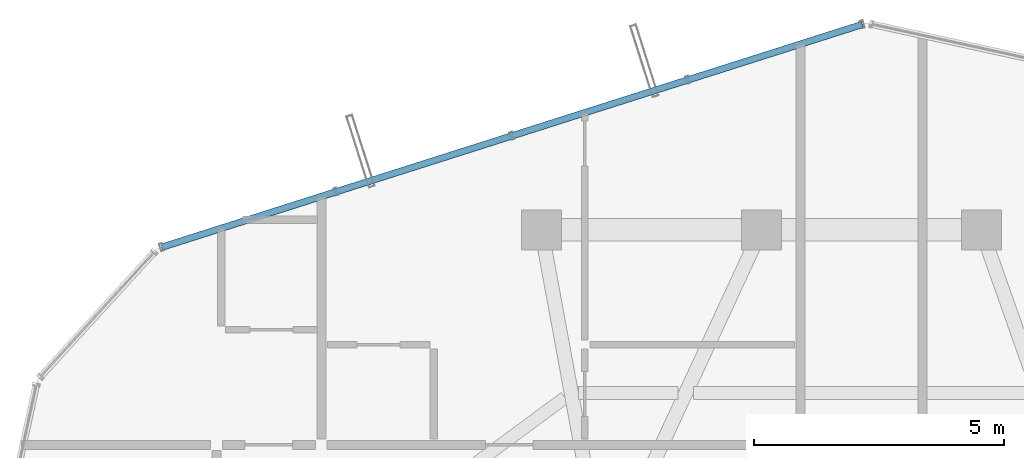
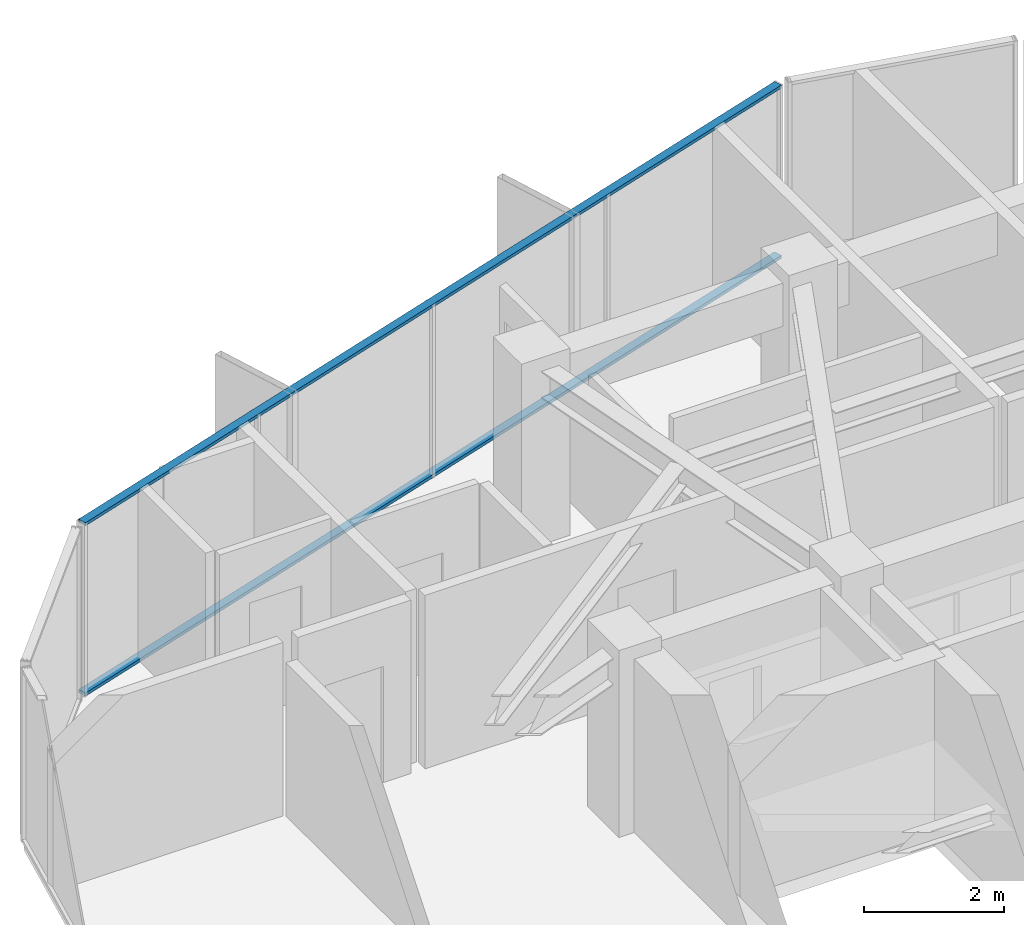
# One storey, part 21 of 28: 2 members, 1 element without a shape of its own.
"""IFC4 building model written with IfcOpenShell, lengths in metres."""

from ifc_helpers import new_model, si_unit, direction, frame, origin, origin_2d, place, context, subcontext, project, spatial, hollow_rectangle, extrude, source, transform, mapped, material, layer, layer_set, material_profile, profile_set, type_object, element, aggregate, save


model = new_model("IFC4")

# Units and contexts
model_context = context("Model", 3, precision=1e-05, world=origin(), true_north=direction((0.0, 1.0)))
body_context = subcontext(model_context, "Body", "Model", "MODEL_VIEW")
ifc_project = project(units=[si_unit("LENGTHUNIT", "METRE"), si_unit("AREAUNIT", "SQUARE_METRE"), si_unit("VOLUMEUNIT", "CUBIC_METRE"), si_unit("PLANEANGLEUNIT", "RADIAN"), si_unit("MASSUNIT", "GRAM", prefix="KILO")], contexts=[model_context])

# Site, building, storey
site_placement = place(None, origin())
site = spatial("IfcSite", under=ifc_project, at=site_placement, CompositionType="ELEMENT")
building_placement = place(site_placement, origin())
building = spatial("IfcBuilding", under=site, at=building_placement, Name="Veraguas Prism Commons", CompositionType="ELEMENT")
storey_placement = place(building_placement, frame((0.0, 0.0, 251.25)))
storey = spatial("IfcBuildingStorey", under=building, at=storey_placement, Name="L71", CompositionType="ELEMENT", Elevation=251.25)

# Curtain wall, members
ifc_material = material(Name="Anodised aluminium EN AW-6063 T6", Category="aluminium")
ifc_layer = layer(ifc_material, 0.14990234375, Name="Unitised Flush Curtain Wall Zone 4", Category="aluminium")
ifc_layer_set = layer_set([ifc_layer], Name="Anodised aluminium EN AW-6063 T6")
curtain_wall_type = type_object("IfcCurtainWallType", Name="Unitised Flush Curtain Wall Zone 4", PredefinedType="NOTDEFINED", material=ifc_layer_set)
curtain_wall_placement = place(storey_placement, origin())
curtain_wall = element("IfcCurtainWall", 1, at=curtain_wall_placement, inside=storey, type_object=curtain_wall_type, Name="Tower Facade Curtain Wall L71-F2", PredefinedType="NOTDEFINED")
ifc_material_profile = material_profile(ifc_material, hollow_rectangle(XDim=0.054931640625, YDim=0.135009765625, WallThickness=0.0029296875, at=origin_2d()), Name="AL55X135X3")
ifc_profile_set = profile_set([ifc_material_profile], Name="Anodised aluminium EN AW-6063 T6")
member_type = type_object("IfcMemberType", Name="Curtain Wall Transom Standard AL 55x135x3", PredefinedType="USERDEFINED", material=ifc_profile_set)
shared_shape = source(origin(), body_context, "Body", "SweptSolid", [
    extrude(hollow_rectangle(XDim=0.054931640625, YDim=0.135009765625, WallThickness=0.0029296875, at=origin_2d()), origin(), (0.0, 0.0, 1.0), 14.7060546875),
])
member_1_placement = place(storey_placement, frame((26.02099609375, 41.908935546875, 0.027587890625), z_axis=(-0.952978092461, -0.303039197613, 0.0), x_axis=(0.0, 0.0, 1.0)))
member_1 = element("IfcMember", 2, at=member_1_placement, type_object=member_type, Name="CW-Z4 Transom 1", ObjectType="TRANSOM", PredefinedType="USERDEFINED", context=body_context, shape_type="MappedRepresentation", body=[
    mapped(shared_shape, transform((0.0, 0.0, 0.0), scale=1.0)),
])
member_2_placement = place(storey_placement, frame((26.02099609375, 41.908935546875, 2.987548828125), z_axis=(-0.952978092461, -0.303039197613, 0.0), x_axis=(0.0, 0.0, 1.0)))
member_2 = element("IfcMember", 3, at=member_2_placement, type_object=member_type, Name="CW-Z4 Transom 2", ObjectType="TRANSOM", PredefinedType="USERDEFINED", context=body_context, shape_type="MappedRepresentation", body=[
    mapped(shared_shape, transform((0.0, 0.0, 0.0), scale=1.0)),
])
aggregate(curtain_wall, [member_1, member_2])

save(model, "model.ifc")
